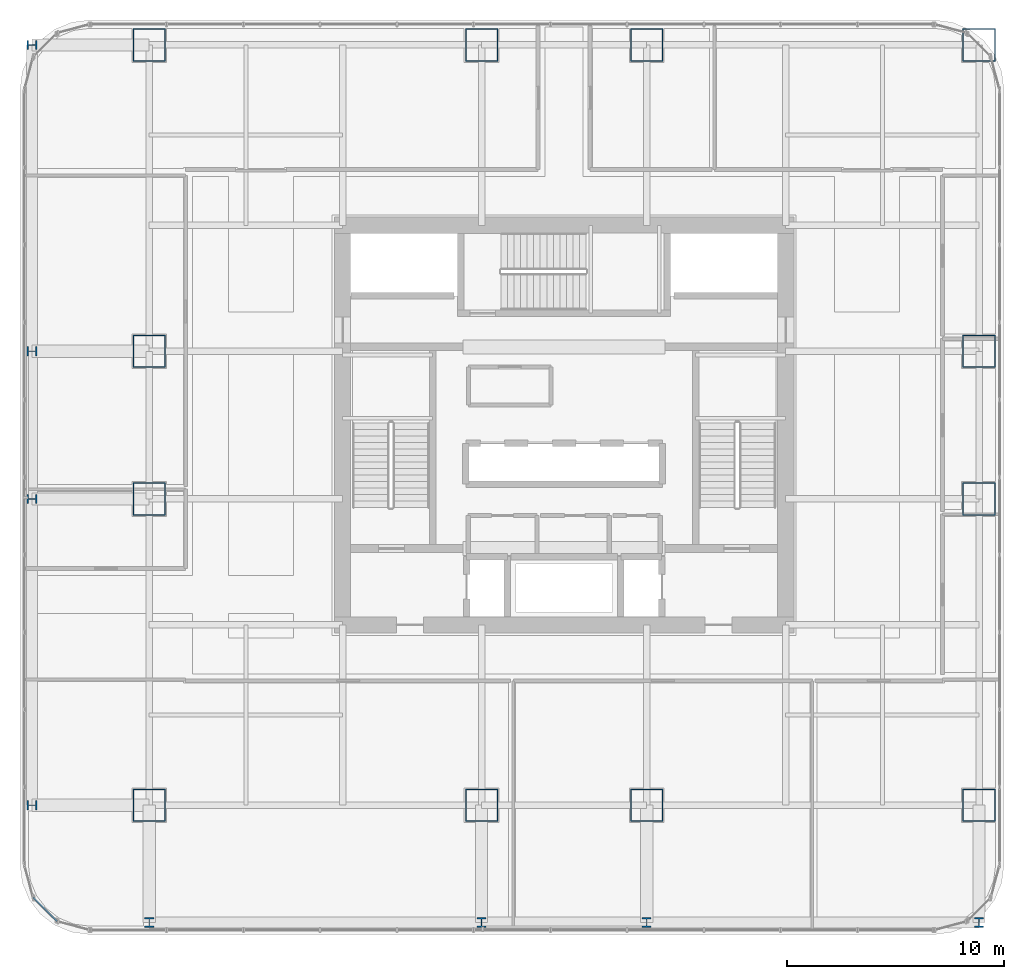
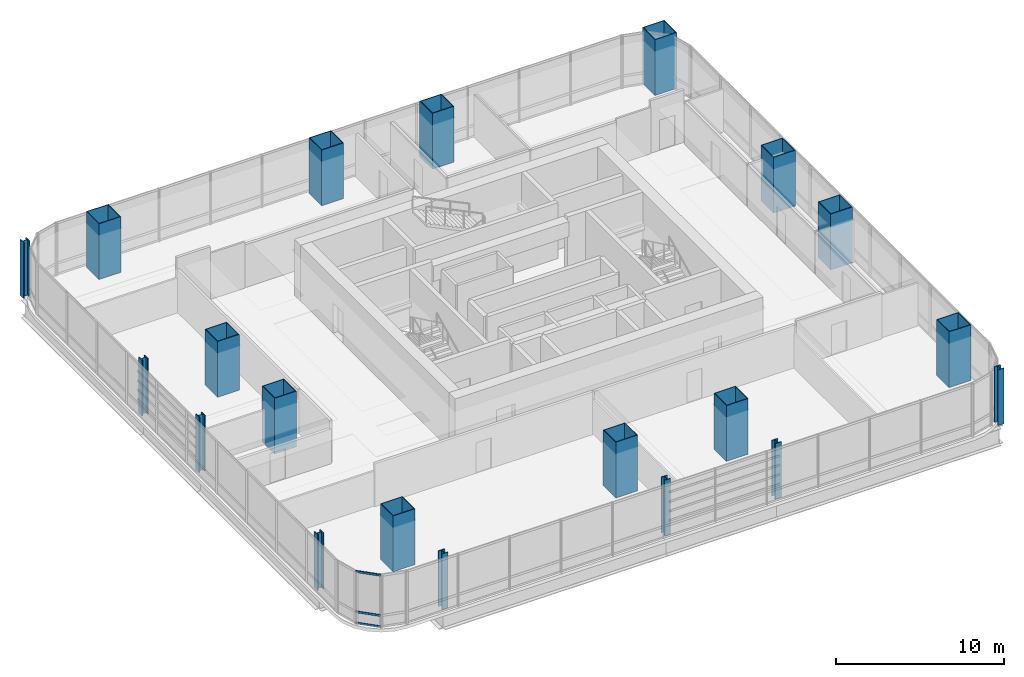
# One storey, part 1 of 36: 20 columns, 3 members, 1 element without a shape of its own.
"""IFC4 building model written with IfcOpenShell, lengths in metres."""

from ifc_helpers import new_model, si_unit, direction, frame, origin, origin_2d, place, context, subcontext, project, spatial, hollow_rectangle, i_section, extrude, material, material_profile, profile_set, type_object, element, aggregate, save


model = new_model("IFC4")

# Units and contexts
model_context = context("Model", 3, precision=1e-05, world=origin(), true_north=direction((0.0, 1.0)))
body_context = subcontext(model_context, "Body", "Model", "MODEL_VIEW")
ifc_project = project(units=[si_unit("LENGTHUNIT", "METRE"), si_unit("AREAUNIT", "SQUARE_METRE"), si_unit("VOLUMEUNIT", "CUBIC_METRE"), si_unit("PLANEANGLEUNIT", "RADIAN"), si_unit("MASSUNIT", "GRAM", prefix="KILO")], contexts=[model_context])

# Site, building, storey
site_placement = place(None, origin())
site = spatial("IfcSite", under=ifc_project, at=site_placement, CompositionType="ELEMENT")
building_placement = place(site_placement, origin())
building = spatial("IfcBuilding", under=site, at=building_placement, Name="Punatoya Terracotta Tower", CompositionType="ELEMENT")
storey_placement = place(building_placement, frame((0.0, 0.0, 32.25)))
storey = spatial("IfcBuildingStorey", under=building, at=storey_placement, Name="L06", CompositionType="ELEMENT", Elevation=32.25)

# Columns
ifc_material_1 = material(Name="Steel S460", Category="steel")
ifc_material_profile_1 = material_profile(ifc_material_1, i_section(OverallWidth=0.416015625, OverallDepth=0.446044921875, WebThickness=0.0390625, FlangeThickness=0.06201171875, FilletRadius=0.01806640625, at=origin_2d()))
ifc_profile_set_1 = profile_set([ifc_material_profile_1], Name="Steel S460")
column_type_1 = type_object("IfcColumnType", Name="COL-EX-M1", PredefinedType="COLUMN", material=ifc_profile_set_1)
for number, where, z_axis, x_axis, name in (
    (1, (-19.10009765625, -22.89990234375, 0.0), (0.0, 0.0, 1.0), (1.0, 0.0, 0.0), "L06 Exoskeleton Perimeter Column S1"),
    (2, (-3.800048828125, -22.89990234375, 0.0), (0.0, 0.0, 1.0), (1.0, 0.0, 0.0), "L06 Exoskeleton Perimeter Column S2"),
    (3, (3.800048828125, -22.89990234375, 0.0), (0.0, 0.0, 1.0), (1.0, 0.0, 0.0), "L06 Exoskeleton Perimeter Column S3"),
    (4, (19.10009765625, -22.89990234375, 0.0), (0.0, 0.0, 1.0), (1.0, 0.0, 0.0), "L06 Exoskeleton Perimeter Column S4"),
    (5, (-24.5, -17.5, 0.0), (0.0, 0.0, 1.0), (0.0, 1.0, 0.0), "L06 Exoskeleton Perimeter Column W1"),
    (6, (-24.5, -3.39990234375, 0.0), (0.0, 0.0, 1.0), (0.0, 1.0, 0.0), "L06 Exoskeleton Perimeter Column W2"),
    (7, (-24.5, 3.39990234375, 0.0), (0.0, 0.0, 1.0), (0.0, 1.0, 0.0), "L06 Exoskeleton Perimeter Column W3"),
    (8, (-24.5, 17.5, 0.0), (0.0, 0.0, 1.0), (0.0, 1.0, 0.0), "L06 Exoskeleton Perimeter Column W4"),
):
    element("IfcColumn", number, at=place(storey_placement, frame(where, z_axis=z_axis, x_axis=x_axis)), inside=storey, type_object=column_type_1, Name=name, PredefinedType="COLUMN", context=body_context, shape_type="SweptSolid", body=[
        extrude(i_section(OverallWidth=0.416015625, OverallDepth=0.446044921875, WebThickness=0.0390625, FlangeThickness=0.06201171875, FilletRadius=0.01806640625, at=origin_2d()), origin(), (0.0, 0.0, 1.0), 4.048095703125),
    ])
ifc_material_profile_2 = material_profile(ifc_material_1, hollow_rectangle(XDim=1.5, YDim=1.5, WallThickness=0.044921875, at=origin_2d()))
ifc_profile_set_2 = profile_set([ifc_material_profile_2], Name="Steel S460")
column_type_2 = type_object("IfcColumnType", Name="COL-MC-Z1", PredefinedType="COLUMN", material=ifc_profile_set_2)
for number, where, z_axis, x_axis, name in (
    (9, (-19.10009765625, -17.5, 0.0), (0.0, 0.0, 1.0), (1.0, 0.0, 0.0), "L06 Composite Mega-Column MC-01 (3-B)"),
    (10, (-3.800048828125, -17.5, 0.0), (0.0, 0.0, 1.0), (1.0, 0.0, 0.0), "L06 Composite Mega-Column MC-02 (5-B)"),
    (11, (3.800048828125, -17.5, 0.0), (0.0, 0.0, 1.0), (1.0, 0.0, 0.0), "L06 Composite Mega-Column MC-03 (7-B)"),
    (12, (19.10009765625, -17.5, 0.0), (0.0, 0.0, 1.0), (1.0, 0.0, 0.0), "L06 Composite Mega-Column MC-04 (9-B)"),
    (13, (19.10009765625, -3.39990234375, 0.0), (0.0, 0.0, 1.0), (1.0, 0.0, 0.0), "L06 Composite Mega-Column MC-05 (9-D)"),
    (14, (19.10009765625, 3.39990234375, 0.0), (0.0, 0.0, 1.0), (1.0, 0.0, 0.0), "L06 Composite Mega-Column MC-06 (9-E)"),
    (15, (19.10009765625, 17.5, 0.0), (0.0, 0.0, 1.0), (1.0, 0.0, 0.0), "L06 Composite Mega-Column MC-07 (9-G)"),
    (16, (3.800048828125, 17.5, 0.0), (0.0, 0.0, 1.0), (1.0, 0.0, 0.0), "L06 Composite Mega-Column MC-08 (7-G)"),
    (17, (-3.800048828125, 17.5, 0.0), (0.0, 0.0, 1.0), (1.0, 0.0, 0.0), "L06 Composite Mega-Column MC-09 (5-G)"),
    (18, (-19.10009765625, 17.5, 0.0), (0.0, 0.0, 1.0), (1.0, 0.0, 0.0), "L06 Composite Mega-Column MC-10 (3-G)"),
    (19, (-19.10009765625, 3.39990234375, 0.0), (0.0, 0.0, 1.0), (1.0, 0.0, 0.0), "L06 Composite Mega-Column MC-11 (3-E)"),
    (20, (-19.10009765625, -3.39990234375, 0.0), (0.0, 0.0, 1.0), (1.0, 0.0, 0.0), "L06 Composite Mega-Column MC-12 (3-D)"),
):
    element("IfcColumn", number, at=place(storey_placement, frame(where, z_axis=z_axis, x_axis=x_axis)), inside=storey, type_object=column_type_2, Name=name, PredefinedType="COLUMN", context=body_context, shape_type="SweptSolid", body=[
        extrude(hollow_rectangle(XDim=1.5, YDim=1.5, WallThickness=0.044921875, at=origin_2d()), origin(), (0.0, 0.0, 1.0), 4.050048828125),
    ])

# Curtain wall, members
ifc_material_2 = material(Name="Aluminium 6063-T6 + Double Low-E Glass", Category="aluminium")
curtain_wall_type = type_object("IfcCurtainWallType", Name="CW-M1", PredefinedType="NOTDEFINED", material=ifc_material_2)
curtain_wall_placement = place(storey_placement, origin())
curtain_wall = element("IfcCurtainWall", 21, at=curtain_wall_placement, inside=storey, type_object=curtain_wall_type, Name="L06 Curtain Wall CW-L06-CRN15", PredefinedType="NOTDEFINED")
ifc_material_3 = material(Name="Aluminium 6063-T6", Category="aluminium")
ifc_material_profile_3 = material_profile(ifc_material_3, hollow_rectangle(XDim=0.068115234375, YDim=0.14990234375, WallThickness=0.00390625, at=origin_2d()))
ifc_profile_set_3 = profile_set([ifc_material_profile_3], Name="Aluminium 6063-T6")
member_type = type_object("IfcMemberType", Name="CW-TRN-TYP", PredefinedType="USERDEFINED", material=ifc_profile_set_3)
member_1_placement = place(storey_placement, frame((-24.446533203125, -21.7490234375, 0.0400390625), z_axis=(0.707028130747, -0.707185422879, 0.0), x_axis=(0.707185422879, 0.707028130747, 0.0)))
member_1 = element("IfcMember", 22, at=member_1_placement, type_object=member_type, Name="CW-L06-CRN15 Transom 1", ObjectType="TRANSOM", PredefinedType="USERDEFINED", context=body_context, shape_type="SweptSolid", body=[
    extrude(hollow_rectangle(XDim=0.068115234375, YDim=0.14990234375, WallThickness=0.00390625, at=origin_2d()), origin(), (0.0, 0.0, 1.0), 1.55224609375),
])
member_2_placement = place(storey_placement, frame((-24.446533203125, -21.7490234375, 0.85009765625), z_axis=(0.707028130747, -0.707185422879, 0.0), x_axis=(0.707185422879, 0.707028130747, 0.0)))
member_2 = element("IfcMember", 23, at=member_2_placement, type_object=member_type, Name="CW-L06-CRN15 Transom 2", ObjectType="TRANSOM", PredefinedType="USERDEFINED", context=body_context, shape_type="SweptSolid", body=[
    extrude(hollow_rectangle(XDim=0.068115234375, YDim=0.14990234375, WallThickness=0.00390625, at=origin_2d()), origin(), (0.0, 0.0, 1.0), 1.55224609375),
])
member_3_placement = place(storey_placement, frame((-24.446533203125, -21.7490234375, 3.77001953125), z_axis=(0.707028130747, -0.707185422879, 0.0), x_axis=(0.707185422879, 0.707028130747, 0.0)))
member_3 = element("IfcMember", 24, at=member_3_placement, type_object=member_type, Name="CW-L06-CRN15 Transom 3", ObjectType="TRANSOM", PredefinedType="USERDEFINED", context=body_context, shape_type="SweptSolid", body=[
    extrude(hollow_rectangle(XDim=0.068115234375, YDim=0.14990234375, WallThickness=0.00390625, at=origin_2d()), origin(), (0.0, 0.0, 1.0), 1.55224609375),
])
aggregate(curtain_wall, [member_1, member_2, member_3])

save(model, "model.ifc")
